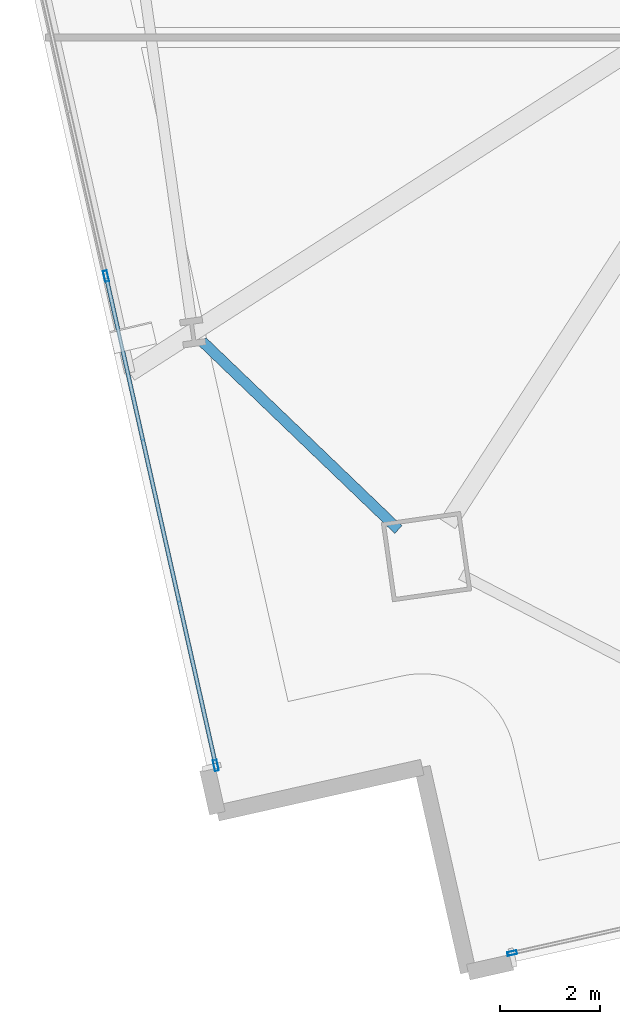
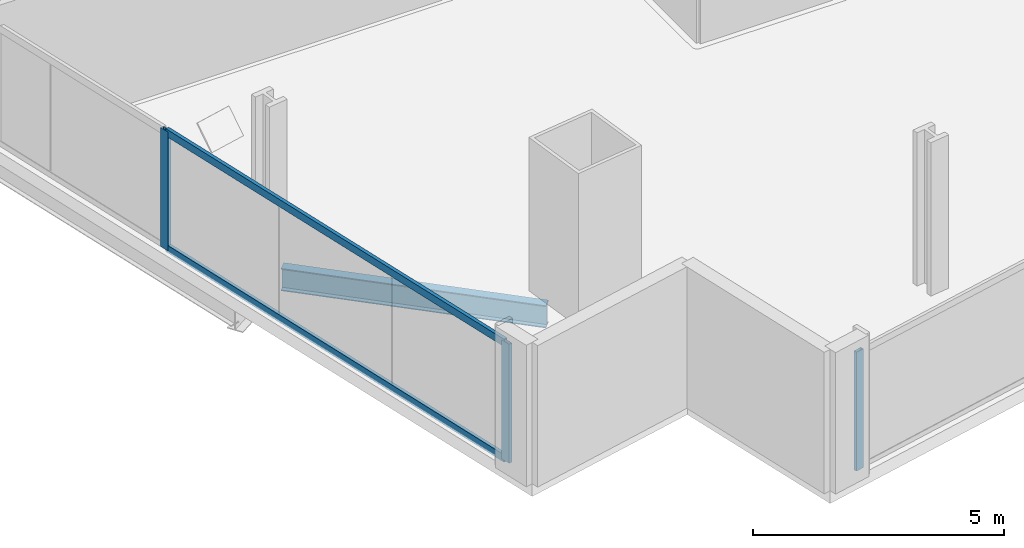
# One storey, part 2 of 32: 5 members, 1 beam, 2 elements without a shape of their own.
"""IFC4 building model written with IfcOpenShell, lengths in metres."""

from ifc_helpers import new_model, si_unit, direction, frame, origin, origin_2d, place, context, subcontext, project, spatial, hollow_rectangle, i_section, extrude, material, material_profile, profile_set, type_object, element, aggregate, save


model = new_model("IFC4")

# Units and contexts
model_context = context("Model", 3, precision=1e-05, world=origin(), true_north=direction((0.0, 1.0)))
body_context = subcontext(model_context, "Body", "Model", "MODEL_VIEW")
ifc_project = project(units=[si_unit("LENGTHUNIT", "METRE"), si_unit("AREAUNIT", "SQUARE_METRE"), si_unit("VOLUMEUNIT", "CUBIC_METRE"), si_unit("PLANEANGLEUNIT", "RADIAN"), si_unit("MASSUNIT", "GRAM", prefix="KILO")], contexts=[model_context])

# Site, building, storey
site_placement = place(None, origin())
site = spatial("IfcSite", under=ifc_project, at=site_placement, CompositionType="ELEMENT")
building_placement = place(site_placement, origin())
building = spatial("IfcBuilding", under=site, at=building_placement, Name="Haldenkirk Collegiate Tower", CompositionType="ELEMENT")
storey_placement = place(building_placement, frame((0.0, 0.0, 70.199951171875)))
storey = spatial("IfcBuildingStorey", under=building, at=storey_placement, Name="L16", CompositionType="ELEMENT", Elevation=70.199951171875)

# Beam
ifc_material_1 = material(Name="Steel ASTM A992 Grade 50", Category="steel")
ifc_material_profile_1 = material_profile(ifc_material_1, i_section(OverallWidth=0.2119140625, OverallDepth=0.5439453125, WebThickness=0.01318359375, FlangeThickness=0.021240234375, at=origin_2d()), Name="W21X83")
ifc_profile_set_1 = profile_set([ifc_material_profile_1], Name="Steel ASTM A992 Grade 50")
beam_type = type_object("IfcBeamType", Name="BM-SPANDREL-W21X83", PredefinedType="SPANDREL", material=ifc_profile_set_1)
beam_placement = place(storey_placement, frame((14.212890625, 9.47412109375, -0.58203125), z_axis=(0.721492362326, -0.692422393561, 0.0), x_axis=(0.692422393561, 0.721492362326, 0.0)))
element("IfcBeam", 1, at=beam_placement, inside=storey, type_object=beam_type, Name="L16 perimeter spandrel beam 16", PredefinedType="SPANDREL", context=body_context, shape_type="SweptSolid", body=[
    extrude(i_section(OverallWidth=0.2119140625, OverallDepth=0.5439453125, WebThickness=0.01318359375, FlangeThickness=0.021240234375, at=origin_2d()), origin(), (0.0, 0.0, 1.0), 5.433837890625),
])

# Curtain wall, member
ifc_material_2 = material(Name="Anodised architectural bronze aluminium", Category="aluminium")
curtain_wall_type_1 = type_object("IfcCurtainWallType", Name="CW-SYS2-CONCAVE", PredefinedType="USERDEFINED", material=ifc_material_2)
curtain_wall_1_placement = place(storey_placement, origin())
curtain_wall_1 = element("IfcCurtainWall", 2, at=curtain_wall_1_placement, inside=storey, type_object=curtain_wall_type_1, Name="L16 South concave recessed bronze-anodised curtain wall", ObjectType="UNITISED CURTAIN WALL", PredefinedType="USERDEFINED")
ifc_material_profile_2 = material_profile(ifc_material_2, hollow_rectangle(XDim=0.074951171875, YDim=0.18994140625, WallThickness=0.0048828125, at=origin_2d()), Name="CW-MUL-02")
ifc_profile_set_2 = profile_set([ifc_material_profile_2], Name="Anodised architectural bronze aluminium")
member_type_1 = type_object("IfcMemberType", Name="CW-MUL-02", PredefinedType="MULLION", material=ifc_profile_set_2)
member_1_placement = place(storey_placement, frame((20.406982421875, -2.7578125, 0.0), z_axis=(0.0, 0.0, 1.0), x_axis=(0.218993578578, -0.975726300015, 0.0)))
member_1 = element("IfcMember", 3, at=member_1_placement, type_object=member_type_1, Name="CW-02 mullion 5", PredefinedType="MULLION", context=body_context, shape_type="SweptSolid", body=[
    extrude(hollow_rectangle(XDim=0.074951171875, YDim=0.18994140625, WallThickness=0.0048828125, at=origin_2d()), origin(), (0.0, 0.0, 1.0), 2.89111328125),
])
aggregate(curtain_wall_1, [member_1])

# Curtain wall, members
curtain_wall_type_2 = type_object("IfcCurtainWallType", Name="CW-SYS1-CONVEX-LOW", PredefinedType="USERDEFINED", material=ifc_material_2)
curtain_wall_2_placement = place(storey_placement, origin())
curtain_wall_2 = element("IfcCurtainWall", 4, at=curtain_wall_2_placement, inside=storey, type_object=curtain_wall_type_2, Name="L16 Lower tower convex bronze-framed unitised curtain wall", ObjectType="UNITISED CURTAIN WALL", PredefinedType="USERDEFINED")
ifc_material_profile_3 = material_profile(ifc_material_2, hollow_rectangle(XDim=0.080078125, YDim=0.219970703125, WallThickness=0.0048828125, at=origin_2d()), Name="CW-MUL-1A")
ifc_profile_set_3 = profile_set([ifc_material_profile_3], Name="Anodised architectural bronze aluminium")
member_type_2 = type_object("IfcMemberType", Name="CW-MUL-1A", PredefinedType="MULLION", material=ifc_profile_set_3)
member_2_placement = place(storey_placement, frame((14.4833984375, 0.99609375, 0.0), z_axis=(0.0, 0.0, 1.0), x_axis=(-0.975726030258, -0.218994780479, 0.0)))
member_2 = element("IfcMember", 5, at=member_2_placement, type_object=member_type_2, Name="CW-1A mullion 1", PredefinedType="MULLION", context=body_context, shape_type="SweptSolid", body=[
    extrude(hollow_rectangle(XDim=0.080078125, YDim=0.219970703125, WallThickness=0.0048828125, at=origin_2d()), origin(), (0.0, 0.0, 1.0), 2.89111328125),
])
member_3_placement = place(storey_placement, frame((12.287109375, 10.78125, 0.0), z_axis=(0.0, 0.0, 1.0), x_axis=(-0.975726030258, -0.218994780479, 0.0)))
member_3 = element("IfcMember", 6, at=member_3_placement, type_object=member_type_2, Name="CW-1A mullion 2", PredefinedType="MULLION", context=body_context, shape_type="SweptSolid", body=[
    extrude(hollow_rectangle(XDim=0.080078125, YDim=0.219970703125, WallThickness=0.0048828125, at=origin_2d()), origin(), (0.0, 0.0, 1.0), 2.89111328125),
])
ifc_material_profile_4 = material_profile(ifc_material_2, hollow_rectangle(XDim=0.080078125, YDim=0.179931640625, WallThickness=0.0048828125, at=origin_2d()), Name="CW-TRN-1A")
ifc_profile_set_4 = profile_set([ifc_material_profile_4], Name="Anodised architectural bronze aluminium")
member_type_3 = type_object("IfcMemberType", Name="CW-TRN-1A", PredefinedType="USERDEFINED", material=ifc_profile_set_4)
member_4_placement = place(storey_placement, frame((14.474609375, 1.03515625, 0.0400390625), z_axis=(-0.218998291299, 0.975725242273, 0.0), x_axis=(-0.975725242273, -0.218998291299, 0.0)))
member_4 = element("IfcMember", 7, at=member_4_placement, type_object=member_type_3, Name="CW-1A transom 1.1", ObjectType="TRANSOM", PredefinedType="USERDEFINED", context=body_context, shape_type="SweptSolid", body=[
    extrude(hollow_rectangle(XDim=0.080078125, YDim=0.179931640625, WallThickness=0.0048828125, at=origin_2d()), origin(), (0.0, 0.0, 1.0), 9.948486328125),
])
member_5_placement = place(storey_placement, frame((14.474609375, 1.03515625, 2.85107421875), z_axis=(-0.218998291299, 0.975725242273, 0.0), x_axis=(-0.975725242273, -0.218998291299, 0.0)))
member_5 = element("IfcMember", 8, at=member_5_placement, type_object=member_type_3, Name="CW-1A transom 1.2", ObjectType="TRANSOM", PredefinedType="USERDEFINED", context=body_context, shape_type="SweptSolid", body=[
    extrude(hollow_rectangle(XDim=0.080078125, YDim=0.179931640625, WallThickness=0.0048828125, at=origin_2d()), origin(), (0.0, 0.0, 1.0), 9.948486328125),
])
aggregate(curtain_wall_2, [member_2, member_3, member_4, member_5])

save(model, "model.ifc")
